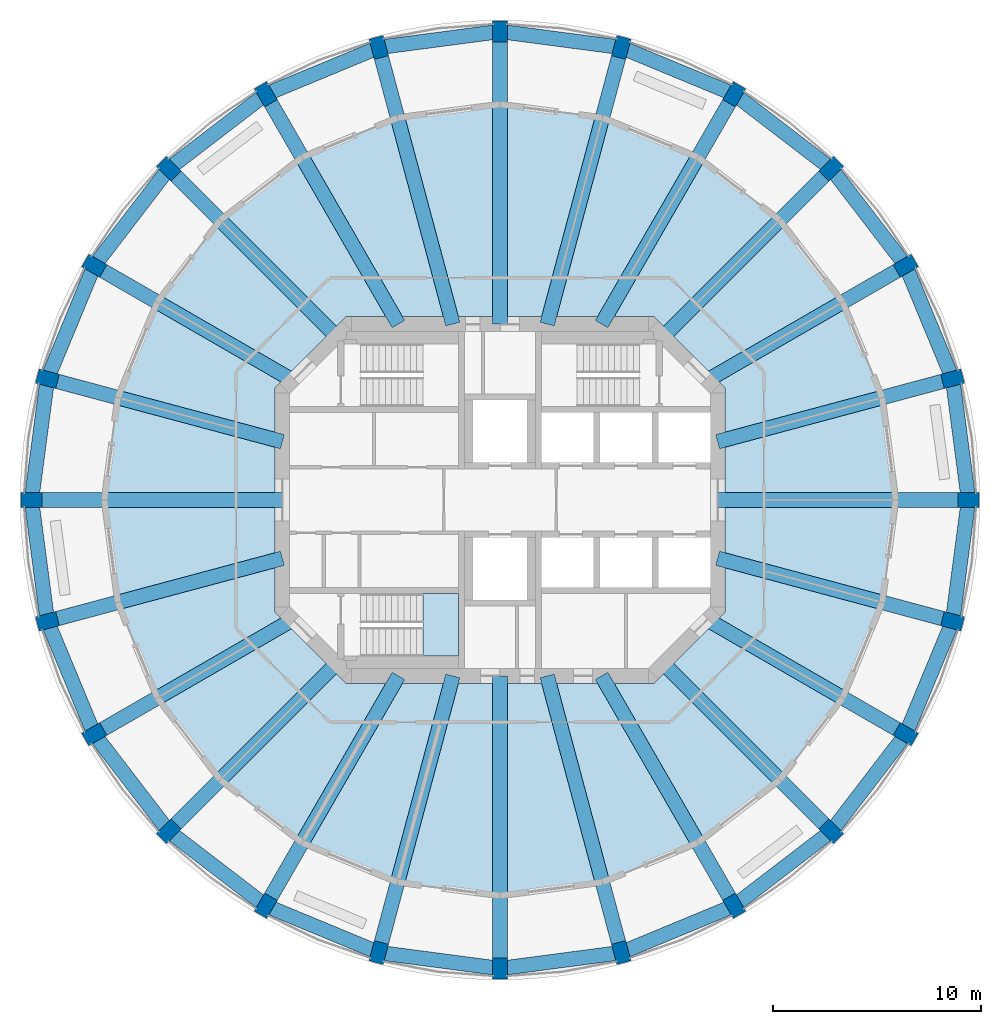
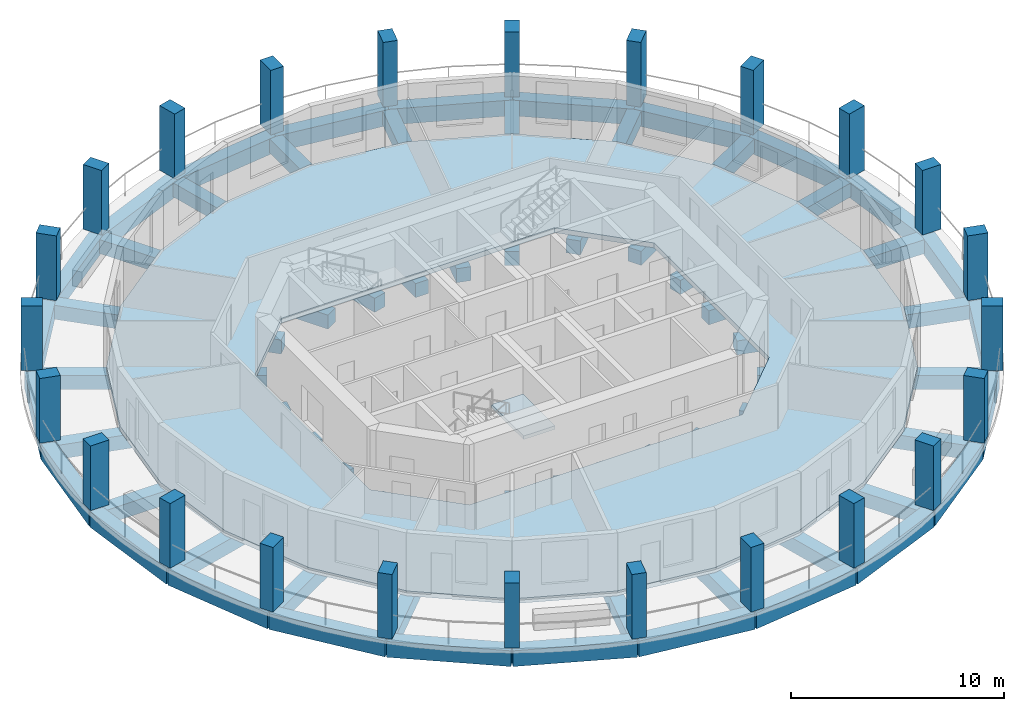
# One storey, part 1 of 9: 48 beams, 24 columns, 2 slabs, 1 element without a shape of its own.
"""IFC4 building model written with IfcOpenShell, lengths in metres."""

from ifc_helpers import new_model, si_unit, direction, frame, origin, origin_2d, place, context, subcontext, project, spatial, polyline, rectangle, outline, extrude, material, layer, layer_set, material_profile, profile_set, type_object, element, aggregate, save


model = new_model("IFC4")

# Units and contexts
model_context = context("Model", 3, precision=1e-05, world=origin(), true_north=direction((0.0, 1.0)))
body_context = subcontext(model_context, "Body", "Model", "MODEL_VIEW")
ifc_project = project(units=[si_unit("LENGTHUNIT", "METRE"), si_unit("AREAUNIT", "SQUARE_METRE"), si_unit("VOLUMEUNIT", "CUBIC_METRE"), si_unit("PLANEANGLEUNIT", "RADIAN"), si_unit("MASSUNIT", "GRAM", prefix="KILO")], contexts=[model_context])

# Site, building, storey
site_placement = place(None, origin())
site = spatial("IfcSite", under=ifc_project, at=site_placement, CompositionType="ELEMENT")
building_placement = place(site_placement, origin())
building = spatial("IfcBuilding", under=site, at=building_placement, Name="Torre Triforio", CompositionType="ELEMENT")
storey_placement = place(building_placement, frame((0.0, 0.0, 161.60009765625)))
storey = spatial("IfcBuildingStorey", under=building, at=storey_placement, Name="L36", CompositionType="ELEMENT", Elevation=161.60009765625)

# Columns
ifc_material_1 = material(Name="Concrete C50", Category="concrete")
ifc_material_profile_1 = material_profile(ifc_material_1, rectangle(XDim=0.699951171875, YDim=1.0, at=origin_2d()), Name="RC 700x1000")
ifc_profile_set_1 = profile_set([ifc_material_profile_1], Name="Concrete C50")
column_type = type_object("IfcColumnType", Name="Pier RC 700x1000 C50", PredefinedType="COLUMN", material=ifc_profile_set_1)
for number, where, z_axis, x_axis, name in (
    (1, (22.5, 0.0, 0.0), (0.0, 0.0, 1.0), (0.0, 1.0, 0.0), "COL.R.L36.00"),
    (2, (21.7333984375, 5.823486328125, 0.0), (0.0, 0.0, 1.0), (-0.258819045103, 0.965925826289, 0.0), "COL.R.L36.01"),
    (3, (19.485595703125, 11.25, 0.0), (0.0, 0.0, 1.0), (-0.5, 0.866025403784, 0.0), "COL.R.L36.02"),
    (4, (15.909912109375, 15.909912109375, 0.0), (0.0, 0.0, 1.0), (-0.707106781187, 0.707106781187, 0.0), "COL.R.L36.03"),
    (5, (11.25, 19.485595703125, 0.0), (0.0, 0.0, 1.0), (-0.866025403784, 0.5, 0.0), "COL.R.L36.04"),
    (6, (5.823486328125, 21.7333984375, 0.0), (0.0, 0.0, 1.0), (-0.965925826289, 0.258819045103, 0.0), "COL.R.L36.05"),
    (7, (0.0, 22.5, 0.0), (0.0, 0.0, 1.0), (-1.0, 0.0, 0.0), "COL.R.L36.06"),
    (8, (-5.823486328125, 21.7333984375, 0.0), (0.0, 0.0, 1.0), (-0.965925826289, -0.258819045103, 0.0), "COL.R.L36.07"),
    (9, (-11.25, 19.485595703125, 0.0), (0.0, 0.0, 1.0), (-0.866025403784, -0.5, 0.0), "COL.R.L36.08"),
    (10, (-15.909912109375, 15.909912109375, 0.0), (0.0, 0.0, 1.0), (-0.707106781187, -0.707106781187, 0.0), "COL.R.L36.09"),
    (11, (-19.485595703125, 11.25, 0.0), (0.0, 0.0, 1.0), (-0.5, -0.866025403784, 0.0), "COL.R.L36.10"),
    (12, (-21.7333984375, 5.823486328125, 0.0), (0.0, 0.0, 1.0), (-0.258819045103, -0.965925826289, 0.0), "COL.R.L36.11"),
    (13, (-22.5, 0.0, 0.0), (0.0, 0.0, 1.0), (0.0, -1.0, 0.0), "COL.R.L36.12"),
    (14, (-21.7333984375, -5.823486328125, 0.0), (0.0, 0.0, 1.0), (0.258819045103, -0.965925826289, 0.0), "COL.R.L36.13"),
    (15, (-19.485595703125, -11.25, 0.0), (0.0, 0.0, 1.0), (0.5, -0.866025403784, 0.0), "COL.R.L36.14"),
    (16, (-15.909912109375, -15.909912109375, 0.0), (0.0, 0.0, 1.0), (0.707106781187, -0.707106781187, 0.0), "COL.R.L36.15"),
    (17, (-11.25, -19.485595703125, 0.0), (0.0, 0.0, 1.0), (0.866025403784, -0.5, 0.0), "COL.R.L36.16"),
    (18, (-5.823486328125, -21.7333984375, 0.0), (0.0, 0.0, 1.0), (0.965925826289, -0.258819045103, 0.0), "COL.R.L36.17"),
    (19, (0.0, -22.5, 0.0), (0.0, 0.0, 1.0), (1.0, 0.0, 0.0), "COL.R.L36.18"),
    (20, (5.823486328125, -21.7333984375, 0.0), (0.0, 0.0, 1.0), (0.965925826289, 0.258819045103, 0.0), "COL.R.L36.19"),
    (21, (11.25, -19.485595703125, 0.0), (0.0, 0.0, 1.0), (0.866025403784, 0.5, 0.0), "COL.R.L36.20"),
    (22, (15.909912109375, -15.909912109375, 0.0), (0.0, 0.0, 1.0), (0.707106781187, 0.707106781187, 0.0), "COL.R.L36.21"),
    (23, (19.485595703125, -11.25, 0.0), (0.0, 0.0, 1.0), (0.5, 0.866025403784, 0.0), "COL.R.L36.22"),
    (24, (21.7333984375, -5.823486328125, 0.0), (0.0, 0.0, 1.0), (0.258819045103, 0.965925826289, 0.0), "COL.R.L36.23"),
):
    element("IfcColumn", number, at=place(storey_placement, frame(where, z_axis=z_axis, x_axis=x_axis)), inside=storey, type_object=column_type, Name=name, PredefinedType="COLUMN", context=body_context, shape_type="SweptSolid", body=[
        extrude(rectangle(XDim=0.699951171875, YDim=1.0, at=origin_2d()), origin(), (0.0, 0.0, 1.0), 3.699951171875),
    ])

# Beams
ifc_material_2 = material(Name="Concrete C40", Category="concrete")
ifc_material_profile_2 = material_profile(ifc_material_2, rectangle(XDim=0.699951171875, YDim=0.800048828125, at=origin_2d()), Name="RC 700x800")
ifc_profile_set_2 = profile_set([ifc_material_profile_2], Name="Concrete C40")
beam_type_1 = type_object("IfcBeamType", Name="Radial beam RC 700x800 C40", PredefinedType="BEAM", material=ifc_profile_set_2)
beam_1_placement = place(storey_placement, frame((10.449951171875, 0.0, -0.68017578125), z_axis=(1.0, 0.0, 0.0), x_axis=(0.0, 1.0, 0.0)))
element("IfcBeam", 25, at=beam_1_placement, inside=storey, type_object=beam_type_1, Name="BM.R.L36.00", PredefinedType="BEAM", context=body_context, shape_type="SweptSolid", body=[
    extrude(rectangle(XDim=0.699951171875, YDim=0.800048828125, at=origin_2d()), origin(), (0.0, 0.0, 1.0), 12.050048828125),
])
beam_2_placement = place(storey_placement, frame((10.449951171875, 2.800048828125, -0.68017578125), z_axis=(0.965924822187, 0.258822792435, 0.0), x_axis=(-0.258822792435, 0.965924822187, 0.0)))
element("IfcBeam", 26, at=beam_2_placement, inside=storey, type_object=beam_type_1, Name="BM.R.L36.01", PredefinedType="BEAM", context=body_context, shape_type="SweptSolid", body=[
    extrude(rectangle(XDim=0.699951171875, YDim=0.800048828125, at=origin_2d()), origin(), (0.0, 0.0, 1.0), 11.681396484375),
])
beam_3_placement = place(storey_placement, frame((9.9501953125, 5.744873046875, -0.68017578125), z_axis=(0.866030871389, 0.499990529712, 0.0), x_axis=(-0.499990529712, 0.866030871389, 0.0)))
element("IfcBeam", 27, at=beam_3_placement, inside=storey, type_object=beam_type_1, Name="BM.R.L36.02", PredefinedType="BEAM", context=body_context, shape_type="SweptSolid", body=[
    extrude(rectangle(XDim=0.699951171875, YDim=0.800048828125, at=origin_2d()), origin(), (0.0, 0.0, 1.0), 11.010498046875),
])
beam_4_placement = place(storey_placement, frame((7.847412109375, 7.847412109375, -0.68017578125), z_axis=(0.707106781187, 0.707106781187, 0.0), x_axis=(-0.707106781187, 0.707106781187, 0.0)))
element("IfcBeam", 28, at=beam_4_placement, inside=storey, type_object=beam_type_1, Name="BM.R.L36.03", PredefinedType="BEAM", context=body_context, shape_type="SweptSolid", body=[
    extrude(rectangle(XDim=0.699951171875, YDim=0.800048828125, at=origin_2d()), origin(), (0.0, 0.0, 1.0), 11.402099609375),
])
beam_5_placement = place(storey_placement, frame((4.878662109375, 8.449951171875, -0.68017578125), z_axis=(0.499994440966, 0.866028613271, 0.0), x_axis=(-0.866028613271, 0.499994440966, 0.0)))
element("IfcBeam", 29, at=beam_5_placement, inside=storey, type_object=beam_type_1, Name="BM.R.L36.04", PredefinedType="BEAM", context=body_context, shape_type="SweptSolid", body=[
    extrude(rectangle(XDim=0.699951171875, YDim=0.800048828125, at=origin_2d()), origin(), (0.0, 0.0, 1.0), 12.742919921875),
])
beam_6_placement = place(storey_placement, frame((2.26416015625, 8.449951171875, -0.68017578125), z_axis=(0.258821569245, 0.965925149944, 0.0), x_axis=(-0.965925149944, 0.258821569245, 0.0)))
element("IfcBeam", 30, at=beam_6_placement, inside=storey, type_object=beam_type_1, Name="BM.R.L36.05", PredefinedType="BEAM", context=body_context, shape_type="SweptSolid", body=[
    extrude(rectangle(XDim=0.699951171875, YDim=0.800048828125, at=origin_2d()), origin(), (0.0, 0.0, 1.0), 13.751953125),
])
beam_7_placement = place(storey_placement, frame((0.0, 8.449951171875, -0.68017578125), z_axis=(0.0, 1.0, 0.0), x_axis=(-1.0, 0.0, 0.0)))
element("IfcBeam", 31, at=beam_7_placement, inside=storey, type_object=beam_type_1, Name="BM.R.L36.06", PredefinedType="BEAM", context=body_context, shape_type="SweptSolid", body=[
    extrude(rectangle(XDim=0.699951171875, YDim=0.800048828125, at=origin_2d()), origin(), (0.0, 0.0, 1.0), 14.050048828125),
])
beam_8_placement = place(storey_placement, frame((-2.26416015625, 8.449951171875, -0.68017578125), z_axis=(-0.258821569245, 0.965925149944, 0.0), x_axis=(-0.965925149944, -0.258821569245, 0.0)))
element("IfcBeam", 32, at=beam_8_placement, inside=storey, type_object=beam_type_1, Name="BM.R.L36.07", PredefinedType="BEAM", context=body_context, shape_type="SweptSolid", body=[
    extrude(rectangle(XDim=0.699951171875, YDim=0.800048828125, at=origin_2d()), origin(), (0.0, 0.0, 1.0), 13.751953125),
])
beam_9_placement = place(storey_placement, frame((-4.878662109375, 8.449951171875, -0.68017578125), z_axis=(-0.499994440966, 0.866028613271, 0.0), x_axis=(-0.866028613271, -0.499994440966, 0.0)))
element("IfcBeam", 33, at=beam_9_placement, inside=storey, type_object=beam_type_1, Name="BM.R.L36.08", PredefinedType="BEAM", context=body_context, shape_type="SweptSolid", body=[
    extrude(rectangle(XDim=0.699951171875, YDim=0.800048828125, at=origin_2d()), origin(), (0.0, 0.0, 1.0), 12.742919921875),
])
beam_10_placement = place(storey_placement, frame((-7.847412109375, 7.847412109375, -0.68017578125), z_axis=(-0.707106781187, 0.707106781187, 0.0), x_axis=(-0.707106781187, -0.707106781187, 0.0)))
element("IfcBeam", 34, at=beam_10_placement, inside=storey, type_object=beam_type_1, Name="BM.R.L36.09", PredefinedType="BEAM", context=body_context, shape_type="SweptSolid", body=[
    extrude(rectangle(XDim=0.699951171875, YDim=0.800048828125, at=origin_2d()), origin(), (0.0, 0.0, 1.0), 11.402099609375),
])
beam_11_placement = place(storey_placement, frame((-9.9501953125, 5.744873046875, -0.68017578125), z_axis=(-0.866030871389, 0.499990529712, 0.0), x_axis=(-0.499990529712, -0.866030871389, 0.0)))
element("IfcBeam", 35, at=beam_11_placement, inside=storey, type_object=beam_type_1, Name="BM.R.L36.10", PredefinedType="BEAM", context=body_context, shape_type="SweptSolid", body=[
    extrude(rectangle(XDim=0.699951171875, YDim=0.800048828125, at=origin_2d()), origin(), (0.0, 0.0, 1.0), 11.010498046875),
])
beam_12_placement = place(storey_placement, frame((-10.449951171875, 2.800048828125, -0.68017578125), z_axis=(-0.965924822187, 0.258822792435, 0.0), x_axis=(-0.258822792435, -0.965924822187, 0.0)))
element("IfcBeam", 36, at=beam_12_placement, inside=storey, type_object=beam_type_1, Name="BM.R.L36.11", PredefinedType="BEAM", context=body_context, shape_type="SweptSolid", body=[
    extrude(rectangle(XDim=0.699951171875, YDim=0.800048828125, at=origin_2d()), origin(), (0.0, 0.0, 1.0), 11.681396484375),
])
beam_13_placement = place(storey_placement, frame((-10.449951171875, 0.0, -0.68017578125), z_axis=(-1.0, 0.0, 0.0), x_axis=(0.0, -1.0, 0.0)))
element("IfcBeam", 37, at=beam_13_placement, inside=storey, type_object=beam_type_1, Name="BM.R.L36.12", PredefinedType="BEAM", context=body_context, shape_type="SweptSolid", body=[
    extrude(rectangle(XDim=0.699951171875, YDim=0.800048828125, at=origin_2d()), origin(), (0.0, 0.0, 1.0), 12.050048828125),
])
beam_14_placement = place(storey_placement, frame((-10.449951171875, -2.800048828125, -0.68017578125), z_axis=(-0.965924822187, -0.258822792435, 0.0), x_axis=(0.258822792435, -0.965924822187, 0.0)))
element("IfcBeam", 38, at=beam_14_placement, inside=storey, type_object=beam_type_1, Name="BM.R.L36.13", PredefinedType="BEAM", context=body_context, shape_type="SweptSolid", body=[
    extrude(rectangle(XDim=0.699951171875, YDim=0.800048828125, at=origin_2d()), origin(), (0.0, 0.0, 1.0), 11.681396484375),
])
beam_15_placement = place(storey_placement, frame((-9.9501953125, -5.744873046875, -0.68017578125), z_axis=(-0.866030871389, -0.499990529712, 0.0), x_axis=(0.499990529712, -0.866030871389, 0.0)))
element("IfcBeam", 39, at=beam_15_placement, inside=storey, type_object=beam_type_1, Name="BM.R.L36.14", PredefinedType="BEAM", context=body_context, shape_type="SweptSolid", body=[
    extrude(rectangle(XDim=0.699951171875, YDim=0.800048828125, at=origin_2d()), origin(), (0.0, 0.0, 1.0), 11.010498046875),
])
beam_16_placement = place(storey_placement, frame((-7.847412109375, -7.847412109375, -0.68017578125), z_axis=(-0.707106781187, -0.707106781187, 0.0), x_axis=(0.707106781187, -0.707106781187, 0.0)))
element("IfcBeam", 40, at=beam_16_placement, inside=storey, type_object=beam_type_1, Name="BM.R.L36.15", PredefinedType="BEAM", context=body_context, shape_type="SweptSolid", body=[
    extrude(rectangle(XDim=0.699951171875, YDim=0.800048828125, at=origin_2d()), origin(), (0.0, 0.0, 1.0), 11.402099609375),
])
beam_17_placement = place(storey_placement, frame((-4.878662109375, -8.449951171875, -0.68017578125), z_axis=(-0.499994440966, -0.866028613271, 0.0), x_axis=(0.866028613271, -0.499994440966, 0.0)))
element("IfcBeam", 41, at=beam_17_placement, inside=storey, type_object=beam_type_1, Name="BM.R.L36.16", PredefinedType="BEAM", context=body_context, shape_type="SweptSolid", body=[
    extrude(rectangle(XDim=0.699951171875, YDim=0.800048828125, at=origin_2d()), origin(), (0.0, 0.0, 1.0), 12.742919921875),
])
beam_18_placement = place(storey_placement, frame((-2.26416015625, -8.449951171875, -0.68017578125), z_axis=(-0.258821569245, -0.965925149944, 0.0), x_axis=(0.965925149944, -0.258821569245, 0.0)))
element("IfcBeam", 42, at=beam_18_placement, inside=storey, type_object=beam_type_1, Name="BM.R.L36.17", PredefinedType="BEAM", context=body_context, shape_type="SweptSolid", body=[
    extrude(rectangle(XDim=0.699951171875, YDim=0.800048828125, at=origin_2d()), origin(), (0.0, 0.0, 1.0), 13.751953125),
])
beam_19_placement = place(storey_placement, frame((0.0, -8.449951171875, -0.68017578125), z_axis=(0.0, -1.0, 0.0), x_axis=(1.0, 0.0, 0.0)))
element("IfcBeam", 43, at=beam_19_placement, inside=storey, type_object=beam_type_1, Name="BM.R.L36.18", PredefinedType="BEAM", context=body_context, shape_type="SweptSolid", body=[
    extrude(rectangle(XDim=0.699951171875, YDim=0.800048828125, at=origin_2d()), origin(), (0.0, 0.0, 1.0), 14.050048828125),
])
beam_20_placement = place(storey_placement, frame((2.26416015625, -8.449951171875, -0.68017578125), z_axis=(0.258821569245, -0.965925149944, 0.0), x_axis=(0.965925149944, 0.258821569245, 0.0)))
element("IfcBeam", 44, at=beam_20_placement, inside=storey, type_object=beam_type_1, Name="BM.R.L36.19", PredefinedType="BEAM", context=body_context, shape_type="SweptSolid", body=[
    extrude(rectangle(XDim=0.699951171875, YDim=0.800048828125, at=origin_2d()), origin(), (0.0, 0.0, 1.0), 13.751953125),
])
beam_21_placement = place(storey_placement, frame((4.878662109375, -8.449951171875, -0.68017578125), z_axis=(0.499994440966, -0.866028613271, 0.0), x_axis=(0.866028613271, 0.499994440966, 0.0)))
element("IfcBeam", 45, at=beam_21_placement, inside=storey, type_object=beam_type_1, Name="BM.R.L36.20", PredefinedType="BEAM", context=body_context, shape_type="SweptSolid", body=[
    extrude(rectangle(XDim=0.699951171875, YDim=0.800048828125, at=origin_2d()), origin(), (0.0, 0.0, 1.0), 12.742919921875),
])
beam_22_placement = place(storey_placement, frame((7.847412109375, -7.847412109375, -0.68017578125), z_axis=(0.707106781187, -0.707106781187, 0.0), x_axis=(0.707106781187, 0.707106781187, 0.0)))
element("IfcBeam", 46, at=beam_22_placement, inside=storey, type_object=beam_type_1, Name="BM.R.L36.21", PredefinedType="BEAM", context=body_context, shape_type="SweptSolid", body=[
    extrude(rectangle(XDim=0.699951171875, YDim=0.800048828125, at=origin_2d()), origin(), (0.0, 0.0, 1.0), 11.402099609375),
])
beam_23_placement = place(storey_placement, frame((9.9501953125, -5.744873046875, -0.68017578125), z_axis=(0.866030871389, -0.499990529712, 0.0), x_axis=(0.499990529712, 0.866030871389, 0.0)))
element("IfcBeam", 47, at=beam_23_placement, inside=storey, type_object=beam_type_1, Name="BM.R.L36.22", PredefinedType="BEAM", context=body_context, shape_type="SweptSolid", body=[
    extrude(rectangle(XDim=0.699951171875, YDim=0.800048828125, at=origin_2d()), origin(), (0.0, 0.0, 1.0), 11.010498046875),
])
beam_24_placement = place(storey_placement, frame((10.449951171875, -2.800048828125, -0.68017578125), z_axis=(0.965924822187, -0.258822792435, 0.0), x_axis=(0.258822792435, 0.965924822187, 0.0)))
element("IfcBeam", 48, at=beam_24_placement, inside=storey, type_object=beam_type_1, Name="BM.R.L36.23", PredefinedType="BEAM", context=body_context, shape_type="SweptSolid", body=[
    extrude(rectangle(XDim=0.699951171875, YDim=0.800048828125, at=origin_2d()), origin(), (0.0, 0.0, 1.0), 11.681396484375),
])
ifc_material_profile_3 = material_profile(ifc_material_2, rectangle(XDim=0.699951171875, YDim=0.89990234375, at=origin_2d()), Name="RC 700x900")
ifc_profile_set_3 = profile_set([ifc_material_profile_3], Name="Concrete C40")
beam_type_2 = type_object("IfcBeamType", Name="Spandrel beam RC 700x900 C40", PredefinedType="SPANDREL", material=ifc_profile_set_3)
beam_25_placement = place(storey_placement, frame((22.5, 0.0, -0.72998046875), z_axis=(-0.13051364818, 0.991446512747, 0.0), x_axis=(-0.991446512747, -0.13051364818, 0.0)))
element("IfcBeam", 49, at=beam_25_placement, inside=storey, type_object=beam_type_2, Name="BM.S.L36.00", PredefinedType="SPANDREL", context=body_context, shape_type="SweptSolid", body=[
    extrude(rectangle(XDim=0.699951171875, YDim=0.89990234375, at=origin_2d()), origin(), (0.0, 0.0, 1.0), 5.873779296875),
])
beam_26_placement = place(storey_placement, frame((21.7333984375, 5.823486328125, -0.72998046875), z_axis=(-0.382693194178, 0.923875488976, 0.0), x_axis=(-0.923875488976, -0.382693194178, 0.0)))
element("IfcBeam", 50, at=beam_26_placement, inside=storey, type_object=beam_type_2, Name="BM.S.L36.01", PredefinedType="SPANDREL", context=body_context, shape_type="SweptSolid", body=[
    extrude(rectangle(XDim=0.699951171875, YDim=0.89990234375, at=origin_2d()), origin(), (0.0, 0.0, 1.0), 5.87353515625),
])
for number, where, z_axis, x_axis, name in (
    (51, (19.485595703125, 11.25, -0.72998046875), (-0.608762208108, 0.793352742466, 0.0), (-0.793352742466, -0.608762208108, 0.0), "BM.S.L36.02"),
    (52, (15.909912109375, 15.909912109375, -0.72998046875), (-0.793352742466, 0.608762208108, 0.0), (-0.608762208108, -0.793352742466, 0.0), "BM.S.L36.03"),
):
    element("IfcBeam", number, at=place(storey_placement, frame(where, z_axis=z_axis, x_axis=x_axis)), inside=storey, type_object=beam_type_2, Name=name, PredefinedType="SPANDREL", context=body_context, shape_type="SweptSolid", body=[
        extrude(rectangle(XDim=0.699951171875, YDim=0.89990234375, at=origin_2d()), origin(), (0.0, 0.0, 1.0), 5.873779296875),
    ])
beam_27_placement = place(storey_placement, frame((11.25, 19.485595703125, -0.72998046875), z_axis=(-0.923875488976, 0.382693194178, 0.0), x_axis=(-0.382693194178, -0.923875488976, 0.0)))
element("IfcBeam", 53, at=beam_27_placement, inside=storey, type_object=beam_type_2, Name="BM.S.L36.04", PredefinedType="SPANDREL", context=body_context, shape_type="SweptSolid", body=[
    extrude(rectangle(XDim=0.699951171875, YDim=0.89990234375, at=origin_2d()), origin(), (0.0, 0.0, 1.0), 5.87353515625),
])
for number, where, z_axis, x_axis, name in (
    (54, (5.823486328125, 21.7333984375, -0.72998046875), (-0.991446512747, 0.13051364818, 0.0), (-0.13051364818, -0.991446512747, 0.0), "BM.S.L36.05"),
    (55, (0.0, 22.5, -0.72998046875), (-0.991446512747, -0.13051364818, 0.0), (0.13051364818, -0.991446512747, 0.0), "BM.S.L36.06"),
):
    element("IfcBeam", number, at=place(storey_placement, frame(where, z_axis=z_axis, x_axis=x_axis)), inside=storey, type_object=beam_type_2, Name=name, PredefinedType="SPANDREL", context=body_context, shape_type="SweptSolid", body=[
        extrude(rectangle(XDim=0.699951171875, YDim=0.89990234375, at=origin_2d()), origin(), (0.0, 0.0, 1.0), 5.873779296875),
    ])
beam_28_placement = place(storey_placement, frame((-5.823486328125, 21.7333984375, -0.72998046875), z_axis=(-0.923875488976, -0.382693194178, 0.0), x_axis=(0.382693194178, -0.923875488976, 0.0)))
element("IfcBeam", 56, at=beam_28_placement, inside=storey, type_object=beam_type_2, Name="BM.S.L36.07", PredefinedType="SPANDREL", context=body_context, shape_type="SweptSolid", body=[
    extrude(rectangle(XDim=0.699951171875, YDim=0.89990234375, at=origin_2d()), origin(), (0.0, 0.0, 1.0), 5.87353515625),
])
for number, where, z_axis, x_axis, name in (
    (57, (-11.25, 19.485595703125, -0.72998046875), (-0.793352742466, -0.608762208108, 0.0), (0.608762208108, -0.793352742466, 0.0), "BM.S.L36.08"),
    (58, (-15.909912109375, 15.909912109375, -0.72998046875), (-0.608762208108, -0.793352742466, 0.0), (0.793352742466, -0.608762208108, 0.0), "BM.S.L36.09"),
):
    element("IfcBeam", number, at=place(storey_placement, frame(where, z_axis=z_axis, x_axis=x_axis)), inside=storey, type_object=beam_type_2, Name=name, PredefinedType="SPANDREL", context=body_context, shape_type="SweptSolid", body=[
        extrude(rectangle(XDim=0.699951171875, YDim=0.89990234375, at=origin_2d()), origin(), (0.0, 0.0, 1.0), 5.873779296875),
    ])
beam_29_placement = place(storey_placement, frame((-19.485595703125, 11.25, -0.72998046875), z_axis=(-0.382693194178, -0.923875488976, 0.0), x_axis=(0.923875488976, -0.382693194178, 0.0)))
element("IfcBeam", 59, at=beam_29_placement, inside=storey, type_object=beam_type_2, Name="BM.S.L36.10", PredefinedType="SPANDREL", context=body_context, shape_type="SweptSolid", body=[
    extrude(rectangle(XDim=0.699951171875, YDim=0.89990234375, at=origin_2d()), origin(), (0.0, 0.0, 1.0), 5.87353515625),
])
for number, where, z_axis, x_axis, name in (
    (60, (-21.7333984375, 5.823486328125, -0.72998046875), (-0.13051364818, -0.991446512747, 0.0), (0.991446512747, -0.13051364818, 0.0), "BM.S.L36.11"),
    (61, (-22.5, 0.0, -0.72998046875), (0.13051364818, -0.991446512747, 0.0), (0.991446512747, 0.13051364818, 0.0), "BM.S.L36.12"),
):
    element("IfcBeam", number, at=place(storey_placement, frame(where, z_axis=z_axis, x_axis=x_axis)), inside=storey, type_object=beam_type_2, Name=name, PredefinedType="SPANDREL", context=body_context, shape_type="SweptSolid", body=[
        extrude(rectangle(XDim=0.699951171875, YDim=0.89990234375, at=origin_2d()), origin(), (0.0, 0.0, 1.0), 5.873779296875),
    ])
beam_30_placement = place(storey_placement, frame((-21.7333984375, -5.823486328125, -0.72998046875), z_axis=(0.382693194178, -0.923875488976, 0.0), x_axis=(0.923875488976, 0.382693194178, 0.0)))
element("IfcBeam", 62, at=beam_30_placement, inside=storey, type_object=beam_type_2, Name="BM.S.L36.13", PredefinedType="SPANDREL", context=body_context, shape_type="SweptSolid", body=[
    extrude(rectangle(XDim=0.699951171875, YDim=0.89990234375, at=origin_2d()), origin(), (0.0, 0.0, 1.0), 5.87353515625),
])
for number, where, z_axis, x_axis, name in (
    (63, (-19.485595703125, -11.25, -0.72998046875), (0.608762208108, -0.793352742466, 0.0), (0.793352742466, 0.608762208108, 0.0), "BM.S.L36.14"),
    (64, (-15.909912109375, -15.909912109375, -0.72998046875), (0.793352742466, -0.608762208108, 0.0), (0.608762208108, 0.793352742466, 0.0), "BM.S.L36.15"),
):
    element("IfcBeam", number, at=place(storey_placement, frame(where, z_axis=z_axis, x_axis=x_axis)), inside=storey, type_object=beam_type_2, Name=name, PredefinedType="SPANDREL", context=body_context, shape_type="SweptSolid", body=[
        extrude(rectangle(XDim=0.699951171875, YDim=0.89990234375, at=origin_2d()), origin(), (0.0, 0.0, 1.0), 5.873779296875),
    ])
beam_31_placement = place(storey_placement, frame((-11.25, -19.485595703125, -0.72998046875), z_axis=(0.923875488976, -0.382693194178, 0.0), x_axis=(0.382693194178, 0.923875488976, 0.0)))
element("IfcBeam", 65, at=beam_31_placement, inside=storey, type_object=beam_type_2, Name="BM.S.L36.16", PredefinedType="SPANDREL", context=body_context, shape_type="SweptSolid", body=[
    extrude(rectangle(XDim=0.699951171875, YDim=0.89990234375, at=origin_2d()), origin(), (0.0, 0.0, 1.0), 5.87353515625),
])
for number, where, z_axis, x_axis, name in (
    (66, (-5.823486328125, -21.7333984375, -0.72998046875), (0.991446512747, -0.13051364818, 0.0), (0.13051364818, 0.991446512747, 0.0), "BM.S.L36.17"),
    (67, (0.0, -22.5, -0.72998046875), (0.991446512747, 0.13051364818, 0.0), (-0.13051364818, 0.991446512747, 0.0), "BM.S.L36.18"),
):
    element("IfcBeam", number, at=place(storey_placement, frame(where, z_axis=z_axis, x_axis=x_axis)), inside=storey, type_object=beam_type_2, Name=name, PredefinedType="SPANDREL", context=body_context, shape_type="SweptSolid", body=[
        extrude(rectangle(XDim=0.699951171875, YDim=0.89990234375, at=origin_2d()), origin(), (0.0, 0.0, 1.0), 5.873779296875),
    ])
beam_32_placement = place(storey_placement, frame((5.823486328125, -21.7333984375, -0.72998046875), z_axis=(0.923875488976, 0.382693194178, 0.0), x_axis=(-0.382693194178, 0.923875488976, 0.0)))
element("IfcBeam", 68, at=beam_32_placement, inside=storey, type_object=beam_type_2, Name="BM.S.L36.19", PredefinedType="SPANDREL", context=body_context, shape_type="SweptSolid", body=[
    extrude(rectangle(XDim=0.699951171875, YDim=0.89990234375, at=origin_2d()), origin(), (0.0, 0.0, 1.0), 5.87353515625),
])
for number, where, z_axis, x_axis, name in (
    (69, (11.25, -19.485595703125, -0.72998046875), (0.793352742466, 0.608762208108, 0.0), (-0.608762208108, 0.793352742466, 0.0), "BM.S.L36.20"),
    (70, (15.909912109375, -15.909912109375, -0.72998046875), (0.608762208108, 0.793352742466, 0.0), (-0.793352742466, 0.608762208108, 0.0), "BM.S.L36.21"),
):
    element("IfcBeam", number, at=place(storey_placement, frame(where, z_axis=z_axis, x_axis=x_axis)), inside=storey, type_object=beam_type_2, Name=name, PredefinedType="SPANDREL", context=body_context, shape_type="SweptSolid", body=[
        extrude(rectangle(XDim=0.699951171875, YDim=0.89990234375, at=origin_2d()), origin(), (0.0, 0.0, 1.0), 5.873779296875),
    ])
beam_33_placement = place(storey_placement, frame((19.485595703125, -11.25, -0.72998046875), z_axis=(0.382693194178, 0.923875488976, 0.0), x_axis=(-0.923875488976, 0.382693194178, 0.0)))
element("IfcBeam", 71, at=beam_33_placement, inside=storey, type_object=beam_type_2, Name="BM.S.L36.22", PredefinedType="SPANDREL", context=body_context, shape_type="SweptSolid", body=[
    extrude(rectangle(XDim=0.699951171875, YDim=0.89990234375, at=origin_2d()), origin(), (0.0, 0.0, 1.0), 5.87353515625),
])
beam_34_placement = place(storey_placement, frame((21.7333984375, -5.823486328125, -0.72998046875), z_axis=(0.13051364818, 0.991446512747, 0.0), x_axis=(-0.991446512747, 0.13051364818, 0.0)))
element("IfcBeam", 72, at=beam_34_placement, inside=storey, type_object=beam_type_2, Name="BM.S.L36.23", PredefinedType="SPANDREL", context=body_context, shape_type="SweptSolid", body=[
    extrude(rectangle(XDim=0.699951171875, YDim=0.89990234375, at=origin_2d()), origin(), (0.0, 0.0, 1.0), 5.873779296875),
])

# Slab
ifc_layer_1 = layer(ifc_material_2, 0.280029296875)
ifc_layer_set_1 = layer_set([ifc_layer_1], Name="Concrete C40")
slab_type_1 = type_object("IfcSlabType", Name="Floor slab 280 C40", PredefinedType="FLOOR", material=ifc_layer_set_1)
slab_1_placement = place(storey_placement, frame((0.0, 0.0, -0.280029296875)))
element("IfcSlab", 73, at=slab_1_placement, inside=storey, type_object=slab_type_1, Name="SL.L36", PredefinedType="FLOOR", context=body_context, shape_type="SweptSolid", body=[
    extrude(outline(polyline([(16.45458984375, -9.5), (18.3525390625, -4.91748046875), (19.0, 0.0), (18.3525390625, 4.91748046875), (16.45458984375, 9.5), (13.43505859375, 13.43505859375), (9.5, 16.45458984375), (4.91748046875, 18.3525390625), (0.0, 19.0), (-4.91748046875, 18.3525390625), (-9.5, 16.45458984375), (-13.43505859375, 13.43505859375), (-16.45458984375, 9.5), (-18.3525390625, 4.91748046875), (-19.0, 0.0), (-18.3525390625, -4.91748046875), (-16.45458984375, -9.5), (-13.43505859375, -13.43505859375), (-9.5, -16.45458984375), (-4.91748046875, -18.3525390625), (0.0, -19.0), (4.91748046875, -18.3525390625), (9.5, -16.45458984375), (13.43505859375, -13.43505859375), (16.45458984375, -9.5)]), holes=[polyline([(10.800048828125, 5.389892578125), (10.800048828125, -5.389892578125), (7.389892578125, -8.800048828125), (-7.389892578125, -8.800048828125), (-10.800048828125, -5.389892578125), (-10.800048828125, 5.389892578125), (-7.389892578125, 8.800048828125), (7.389892578125, 8.800048828125), (10.800048828125, 5.389892578125)])]), origin(), (0.0, 0.0, 1.0), 0.280029296875),
])

# Stair, slab
stair_type = type_object("IfcStairType", Name="STAIR HALF-TURN", PredefinedType="HALF_TURN_STAIR", material=ifc_material_2)
stair_placement = place(storey_placement, origin())
stair = element("IfcStair", 74, at=stair_placement, inside=storey, type_object=stair_type, Name="Exit stair 3", PredefinedType="HALF_TURN_STAIR")
ifc_layer_2 = layer(ifc_material_2, 0.199951171875)
ifc_layer_set_2 = layer_set([ifc_layer_2], Name="Concrete C40")
slab_type_2 = type_object("IfcSlabType", Name="STAIR LANDING 200", PredefinedType="LANDING", material=ifc_layer_set_2)
slab_2_placement = place(storey_placement, frame((0.0, 0.0, 1.64990234375)))
slab_2 = element("IfcSlab", 75, at=slab_2_placement, type_object=slab_type_2, Name="ST3 landing 1", PredefinedType="LANDING", context=body_context, shape_type="SweptSolid", body=[
    extrude(outline(polyline([(-2.0, -7.5), (-2.0, -4.5), (-3.699951171875, -4.5), (-3.699951171875, -7.5), (-2.0, -7.5)])), origin(), (0.0, 0.0, 1.0), 0.199951171875),
])
aggregate(stair, [slab_2])

save(model, "model.ifc")
